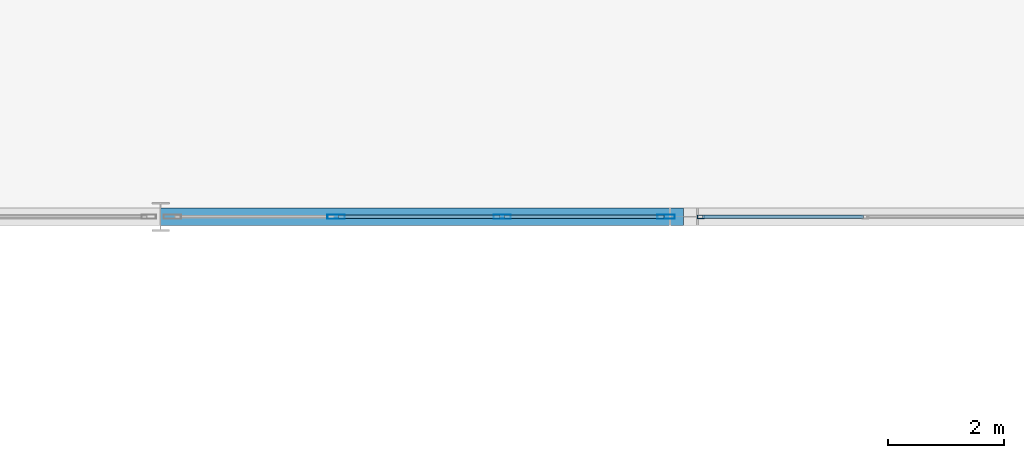
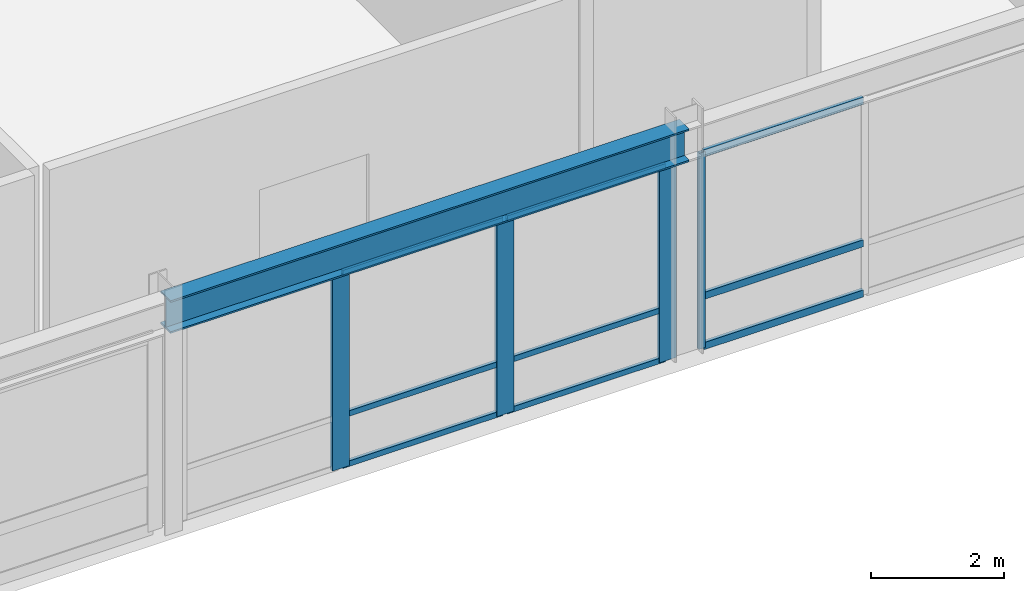
# One storey, part 35 of 67: 13 members, 1 beam, 2 elements without a shape of their own.
"""IFC4 building model written with IfcOpenShell, lengths in metres."""

from ifc_helpers import new_model, si_unit, direction, frame, origin, origin_2d, place, context, subcontext, project, spatial, hollow_rectangle, i_section, extrude, material, layer, layer_set, material_profile, profile_set, type_object, element, aggregate, save


model = new_model("IFC4")

# Units and contexts
model_context = context("Model", 3, precision=1e-05, world=origin(), true_north=direction((0.0, 1.0)))
body_context = subcontext(model_context, "Body", "Model", "MODEL_VIEW")
ifc_project = project(units=[si_unit("LENGTHUNIT", "METRE"), si_unit("AREAUNIT", "SQUARE_METRE"), si_unit("VOLUMEUNIT", "CUBIC_METRE"), si_unit("PLANEANGLEUNIT", "RADIAN"), si_unit("MASSUNIT", "GRAM", prefix="KILO")], contexts=[model_context])

# Site, building, storey
site_placement = place(None, origin())
site = spatial("IfcSite", under=ifc_project, at=site_placement, CompositionType="ELEMENT")
building_placement = place(site_placement, origin())
building = spatial("IfcBuilding", under=site, at=building_placement, Name="Montelvaro Courts of Justice", CompositionType="ELEMENT")
storey_placement = place(building_placement, frame((0.0, 0.0, 18.89990234375)))
storey = spatial("IfcBuildingStorey", under=building, at=storey_placement, Name="L04", CompositionType="ELEMENT", Elevation=18.89990234375)

# Beam
ifc_material_1 = material(Name="Steel S355", Category="steel")
ifc_material_profile_1 = material_profile(ifc_material_1, i_section(OverallWidth=0.300048828125, OverallDepth=0.60009765625, WebThickness=0.015380859375, FlangeThickness=0.030029296875, at=origin_2d()), Name="HEB 600")
ifc_profile_set_1 = profile_set([ifc_material_profile_1], Name="Steel S355")
beam_type = type_object("IfcBeamType", Name="Beam_HEB600", PredefinedType="USERDEFINED", material=ifc_profile_set_1)
beam_placement = place(storey_placement, frame((144.0, 78.0, 3.900146484375), z_axis=(1.0, 0.0, 0.0), x_axis=(0.0, 1.0, 0.0)))
element("IfcBeam", 1, at=beam_placement, inside=storey, type_object=beam_type, Name="V2 Roof Eave Girder", ObjectType="GIRDER", PredefinedType="USERDEFINED", context=body_context, shape_type="SweptSolid", body=[
    extrude(i_section(OverallWidth=0.300048828125, OverallDepth=0.60009765625, WebThickness=0.015380859375, FlangeThickness=0.030029296875, at=origin_2d()), origin(), (0.0, 0.0, 1.0), 9.0),
])

# Curtain wall, member
ifc_material_2 = material(Name="Anodised aluminium EN AW-6063", Category="aluminium")
ifc_layer = layer(ifc_material_2, 0.159912109375)
ifc_layer_set = layer_set([ifc_layer], Name="Anodised aluminium EN AW-6063")
curtain_wall_type = type_object("IfcCurtainWallType", Name="CurtainWall_13_857x418", PredefinedType="USERDEFINED", material=ifc_layer_set)
curtain_wall_1_placement = place(storey_placement, origin())
curtain_wall_1 = element("IfcCurtainWall", 2, at=curtain_wall_1_placement, inside=storey, type_object=curtain_wall_type, Name="Curtain Wall CW-13 (L04)", ObjectType="CURTAIN WALL", PredefinedType="USERDEFINED")
ifc_material_profile_2 = material_profile(ifc_material_2, hollow_rectangle(XDim=0.06005859375, YDim=0.1201171875, WallThickness=0.00341796875, at=origin_2d()), Name="ALU-M 60x120")
ifc_profile_set_2 = profile_set([ifc_material_profile_2], Name="Anodised aluminium EN AW-6063")
member_type_1 = type_object("IfcMemberType", Name="CurtainWall_Mullion_60x120", PredefinedType="MULLION", material=ifc_profile_set_2)
member_1_placement = place(storey_placement, frame((153.294921875, 78.0, 0.0), z_axis=(0.0, 0.0, 1.0), x_axis=(0.0, 1.0, 0.0)))
member_1 = element("IfcMember", 3, at=member_1_placement, type_object=member_type_1, Name="CW-13 mullion 1", PredefinedType="MULLION", context=body_context, shape_type="SweptSolid", body=[
    extrude(hollow_rectangle(XDim=0.06005859375, YDim=0.1201171875, WallThickness=0.00341796875, at=origin_2d()), origin(), (0.0, 0.0, 1.0), 3.59521484375),
])

# Curtain wall, members
curtain_wall_2_placement = place(storey_placement, origin())
curtain_wall_2 = element("IfcCurtainWall", 4, at=curtain_wall_2_placement, inside=storey, type_object=curtain_wall_type, Name="Curtain Wall CW-13 (L04)", ObjectType="CURTAIN WALL", PredefinedType="USERDEFINED")
ifc_material_profile_3 = material_profile(ifc_material_2, hollow_rectangle(XDim=0.074951171875, YDim=0.300048828125, WallThickness=0.006103515625, at=origin_2d()), Name="ALU-M 75x300")
ifc_profile_set_3 = profile_set([ifc_material_profile_3], Name="Anodised aluminium EN AW-6063")
member_type_2 = type_object("IfcMemberType", Name="CurtainWall_Mullion_75x300", PredefinedType="MULLION", material=ifc_profile_set_3)
member_2_placement = place(storey_placement, frame((147.021728515625, 78.0, 0.0), z_axis=(0.0, 0.0, 1.0), x_axis=(0.0, 1.0, 0.0)))
member_2 = element("IfcMember", 5, at=member_2_placement, type_object=member_type_2, Name="CW-13 mullion 2", PredefinedType="MULLION", context=body_context, shape_type="SweptSolid", body=[
    extrude(hollow_rectangle(XDim=0.074951171875, YDim=0.300048828125, WallThickness=0.006103515625, at=origin_2d()), origin(), (0.0, 0.0, 1.0), 3.59521484375),
])
member_3_placement = place(storey_placement, frame((149.87841796875, 78.0, 0.0), z_axis=(0.0, 0.0, 1.0), x_axis=(0.0, 1.0, 0.0)))
member_3 = element("IfcMember", 6, at=member_3_placement, type_object=member_type_2, Name="CW-13 mullion 3", PredefinedType="MULLION", context=body_context, shape_type="SweptSolid", body=[
    extrude(hollow_rectangle(XDim=0.074951171875, YDim=0.300048828125, WallThickness=0.006103515625, at=origin_2d()), origin(), (0.0, 0.0, 1.0), 3.59521484375),
])
member_4_placement = place(storey_placement, frame((152.697509765625, 78.0, 0.0), z_axis=(0.0, 0.0, 1.0), x_axis=(0.0, 1.0, 0.0)))
member_4 = element("IfcMember", 7, at=member_4_placement, type_object=member_type_2, Name="CW-13 mullion 4", PredefinedType="MULLION", context=body_context, shape_type="SweptSolid", body=[
    extrude(hollow_rectangle(XDim=0.074951171875, YDim=0.300048828125, WallThickness=0.006103515625, at=origin_2d()), origin(), (0.0, 0.0, 1.0), 3.59521484375),
])
ifc_material_profile_4 = material_profile(ifc_material_2, hollow_rectangle(XDim=0.06005859375, YDim=0.10009765625, WallThickness=0.00341796875, at=origin_2d()), Name="ALU-T 60x100")
ifc_profile_set_4 = profile_set([ifc_material_profile_4], Name="Anodised aluminium EN AW-6063")
member_type_3 = type_object("IfcMemberType", Name="CurtainWall_Transom_60x100", PredefinedType="USERDEFINED", material=ifc_profile_set_4)
member_5_placement = place(storey_placement, frame((147.05908203125, 78.0, 0.030029296875), z_axis=(1.0, 0.0, 0.0), x_axis=(0.0, 1.0, 0.0)))
member_5 = element("IfcMember", 8, at=member_5_placement, type_object=member_type_3, Name="CW-13 transom 2.1", ObjectType="TRANSOM", PredefinedType="USERDEFINED", context=body_context, shape_type="SweptSolid", body=[
    extrude(hollow_rectangle(XDim=0.06005859375, YDim=0.10009765625, WallThickness=0.00341796875, at=origin_2d()), origin(), (0.0, 0.0, 1.0), 2.78173828125),
])
member_6_placement = place(storey_placement, frame((147.05908203125, 78.0, 0.9501953125), z_axis=(1.0, 0.0, 0.0), x_axis=(0.0, 1.0, 0.0)))
member_6 = element("IfcMember", 9, at=member_6_placement, type_object=member_type_3, Name="CW-13 transom 2.2", ObjectType="TRANSOM", PredefinedType="USERDEFINED", context=body_context, shape_type="SweptSolid", body=[
    extrude(hollow_rectangle(XDim=0.06005859375, YDim=0.10009765625, WallThickness=0.00341796875, at=origin_2d()), origin(), (0.0, 0.0, 1.0), 2.78173828125),
])
member_7_placement = place(storey_placement, frame((147.05908203125, 78.0, 3.565185546875), z_axis=(1.0, 0.0, 0.0), x_axis=(0.0, 1.0, 0.0)))
member_7 = element("IfcMember", 10, at=member_7_placement, type_object=member_type_3, Name="CW-13 transom 2.3", ObjectType="TRANSOM", PredefinedType="USERDEFINED", context=body_context, shape_type="SweptSolid", body=[
    extrude(hollow_rectangle(XDim=0.06005859375, YDim=0.10009765625, WallThickness=0.00341796875, at=origin_2d()), origin(), (0.0, 0.0, 1.0), 2.78173828125),
])
member_8_placement = place(storey_placement, frame((149.915771484375, 78.0, 0.030029296875), z_axis=(1.0, 0.0, 0.0), x_axis=(0.0, 1.0, 0.0)))
member_8 = element("IfcMember", 11, at=member_8_placement, type_object=member_type_3, Name="CW-13 transom 3.1", ObjectType="TRANSOM", PredefinedType="USERDEFINED", context=body_context, shape_type="SweptSolid", body=[
    extrude(hollow_rectangle(XDim=0.06005859375, YDim=0.10009765625, WallThickness=0.00341796875, at=origin_2d()), origin(), (0.0, 0.0, 1.0), 2.744140625),
])
member_9_placement = place(storey_placement, frame((149.915771484375, 78.0, 0.9501953125), z_axis=(1.0, 0.0, 0.0), x_axis=(0.0, 1.0, 0.0)))
member_9 = element("IfcMember", 12, at=member_9_placement, type_object=member_type_3, Name="CW-13 transom 3.2", ObjectType="TRANSOM", PredefinedType="USERDEFINED", context=body_context, shape_type="SweptSolid", body=[
    extrude(hollow_rectangle(XDim=0.06005859375, YDim=0.10009765625, WallThickness=0.00341796875, at=origin_2d()), origin(), (0.0, 0.0, 1.0), 2.744140625),
])
member_10_placement = place(storey_placement, frame((149.915771484375, 78.0, 3.565185546875), z_axis=(1.0, 0.0, 0.0), x_axis=(0.0, 1.0, 0.0)))
member_10 = element("IfcMember", 13, at=member_10_placement, type_object=member_type_3, Name="CW-13 transom 3.3", ObjectType="TRANSOM", PredefinedType="USERDEFINED", context=body_context, shape_type="SweptSolid", body=[
    extrude(hollow_rectangle(XDim=0.06005859375, YDim=0.10009765625, WallThickness=0.00341796875, at=origin_2d()), origin(), (0.0, 0.0, 1.0), 2.744140625),
])
aggregate(curtain_wall_2, [member_2, member_3, member_4, member_5, member_6, member_7, member_8, member_9, member_10])

# Member
ifc_material_profile_5 = material_profile(ifc_material_2, hollow_rectangle(XDim=0.06005859375, YDim=0.1298828125, WallThickness=0.00390625, at=origin_2d()), Name="ALU-T 60x130")
ifc_profile_set_5 = profile_set([ifc_material_profile_5], Name="Anodised aluminium EN AW-6063")
member_type_4 = type_object("IfcMemberType", Name="CurtainWall_Transom_60x130", PredefinedType="USERDEFINED", material=ifc_profile_set_5)
member_11_placement = place(storey_placement, frame((153.324951171875, 78.0, 0.030029296875), z_axis=(1.0, 0.0, 0.0), x_axis=(0.0, 1.0, 0.0)))
member_11 = element("IfcMember", 14, at=member_11_placement, type_object=member_type_4, Name="CW-13 transom 1.1", ObjectType="TRANSOM", PredefinedType="USERDEFINED", context=body_context, shape_type="SweptSolid", body=[
    extrude(hollow_rectangle(XDim=0.06005859375, YDim=0.1298828125, WallThickness=0.00390625, at=origin_2d()), origin(), (0.0, 0.0, 1.0), 2.7666015625),
])

member_12_placement = place(storey_placement, frame((153.324951171875, 78.0, 0.9501953125), z_axis=(1.0, 0.0, 0.0), x_axis=(0.0, 1.0, 0.0)))
member_12 = element("IfcMember", 15, at=member_12_placement, type_object=member_type_4, Name="CW-13 transom 1.2", ObjectType="TRANSOM", PredefinedType="USERDEFINED", context=body_context, shape_type="SweptSolid", body=[
    extrude(hollow_rectangle(XDim=0.06005859375, YDim=0.1298828125, WallThickness=0.00390625, at=origin_2d()), origin(), (0.0, 0.0, 1.0), 2.7666015625),
])

member_13_placement = place(storey_placement, frame((153.324951171875, 78.0, 3.565185546875), z_axis=(1.0, 0.0, 0.0), x_axis=(0.0, 1.0, 0.0)))
member_13 = element("IfcMember", 16, at=member_13_placement, type_object=member_type_4, Name="CW-13 transom 1.3", ObjectType="TRANSOM", PredefinedType="USERDEFINED", context=body_context, shape_type="SweptSolid", body=[
    extrude(hollow_rectangle(XDim=0.06005859375, YDim=0.1298828125, WallThickness=0.00390625, at=origin_2d()), origin(), (0.0, 0.0, 1.0), 2.7666015625),
])

aggregate(curtain_wall_1, [member_1, member_11, member_12, member_13])

save(model, "model.ifc")
